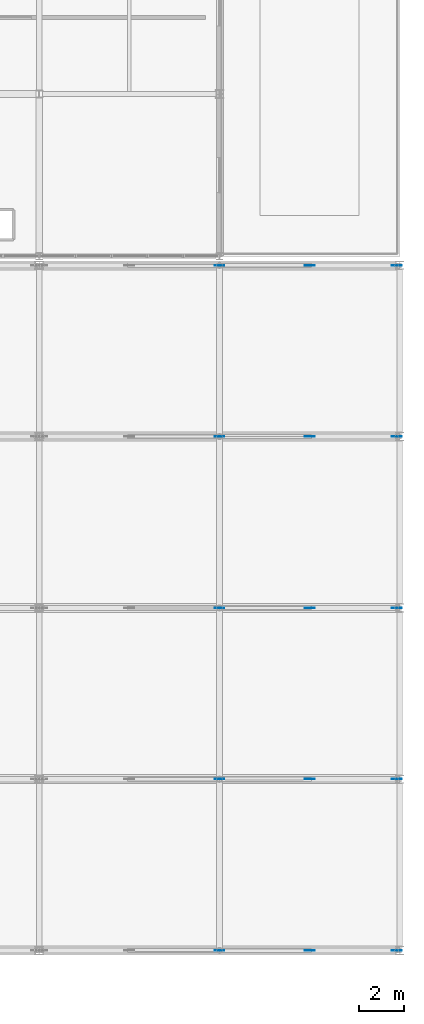
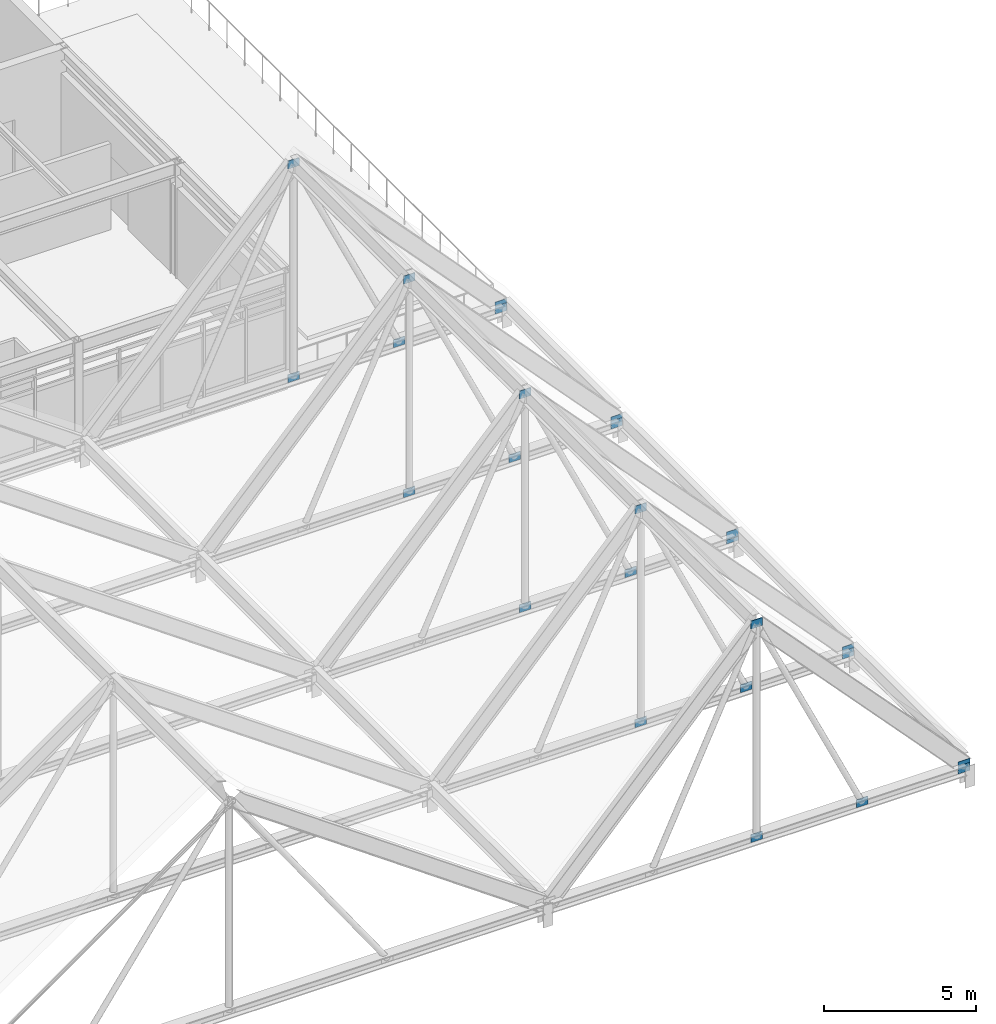
# One storey, part 81 of 100: 25 plates.
"""IFC4 building model written with IfcOpenShell, lengths in metres."""

from ifc_helpers import new_model, si_unit, direction, frame, origin, origin_2d, place, context, subcontext, project, spatial, rectangle, extrude, material, layer, layer_set, type_object, element, save


model = new_model("IFC4")

# Units and contexts
model_context = context("Model", 3, precision=1e-05, world=origin(), true_north=direction((0.0, 1.0)))
body_context = subcontext(model_context, "Body", "Model", "MODEL_VIEW")
ifc_project = project(units=[si_unit("LENGTHUNIT", "METRE"), si_unit("AREAUNIT", "SQUARE_METRE"), si_unit("VOLUMEUNIT", "CUBIC_METRE"), si_unit("PLANEANGLEUNIT", "RADIAN"), si_unit("MASSUNIT", "GRAM", prefix="KILO")], contexts=[model_context])

# Site, building, storey
site_placement = place(None, origin())
site = spatial("IfcSite", under=ifc_project, at=site_placement, CompositionType="ELEMENT")
building_placement = place(site_placement, origin())
building = spatial("IfcBuilding", under=site, at=building_placement, Name="Zulena Civic Courthouse", CompositionType="ELEMENT")
storey_placement = place(building_placement, frame((0.0, 0.0, 20.39990234375)))
storey = spatial("IfcBuildingStorey", under=building, at=storey_placement, Name="L04", CompositionType="ELEMENT", Elevation=20.39990234375)

# Plates
ifc_material = material(Name="Steel ASTM A572 Grade 50", Category="steel")
ifc_layer = layer(ifc_material, 0.02490234375)
ifc_layer_set = layer_set([ifc_layer], Name="Steel ASTM A572 Grade 50")
plate_type = type_object("IfcPlateType", Name="GussetPlate_440x320x25", PredefinedType="SHEET", material=ifc_layer_set)
for number, where, z_axis, x_axis, name in (
    (1, (171.860107421875, 0.0, 0.33642578125), (0.0, 0.0, 1.0), (1.0, 0.0, 0.0), "plate:fd:postE:07:0.0:0"),
    (2, (171.860107421875, 0.0, 0.49609375), (0.0, 0.0, 1.0), (1.0, 0.0, 0.0), "plate:fd:postE:07:0.0:1"),
    (3, (164.0, 0.0, 0.33642578125), (0.0, 0.0, 1.0), (1.0, 0.0, 0.0), "plate:fd:king:07:0.0:0"),
    (4, (164.0, 0.0, 8.896484375), (0.0, 0.0, 1.0), (1.0, 0.0, 0.0), "plate:fd:king:07:0.0:1"),
    (5, (168.0, 0.0, 0.33642578125), (0.0, 0.0, 1.0), (1.0, 0.0, 0.0), "plate:fd:diagE:07:0.0:0"),
    (6, (171.860107421875, 7.60009765625, 0.33642578125), (0.0, 0.0, 1.0), (1.0, 0.0, 0.0), "plate:fd:postE:07:7.6:0"),
    (7, (171.860107421875, 7.60009765625, 0.49609375), (0.0, 0.0, 1.0), (1.0, 0.0, 0.0), "plate:fd:postE:07:7.6:1"),
    (8, (164.0, 7.60009765625, 0.33642578125), (0.0, 0.0, 1.0), (1.0, 0.0, 0.0), "plate:fd:king:07:7.6:0"),
    (9, (164.0, 7.60009765625, 8.896484375), (0.0, 0.0, 1.0), (1.0, 0.0, 0.0), "plate:fd:king:07:7.6:1"),
    (10, (168.0, 7.60009765625, 0.33642578125), (0.0, 0.0, 1.0), (1.0, 0.0, 0.0), "plate:fd:diagE:07:7.6:0"),
    (11, (171.860107421875, 15.199951171875, 0.33642578125), (0.0, 0.0, 1.0), (1.0, 0.0, 0.0), "plate:fd:postE:07:15.2:0"),
    (12, (171.860107421875, 15.199951171875, 0.49609375), (0.0, 0.0, 1.0), (1.0, 0.0, 0.0), "plate:fd:postE:07:15.2:1"),
    (13, (164.0, 15.199951171875, 0.33642578125), (0.0, 0.0, 1.0), (1.0, 0.0, 0.0), "plate:fd:king:07:15.2:0"),
    (14, (164.0, 15.199951171875, 8.896484375), (0.0, 0.0, 1.0), (1.0, 0.0, 0.0), "plate:fd:king:07:15.2:1"),
    (15, (168.0, 15.199951171875, 0.33642578125), (0.0, 0.0, 1.0), (1.0, 0.0, 0.0), "plate:fd:diagE:07:15.2:0"),
    (16, (171.860107421875, 22.800048828125, 0.33642578125), (0.0, 0.0, 1.0), (1.0, 0.0, 0.0), "plate:fd:postE:07:22.8:0"),
    (17, (171.860107421875, 22.800048828125, 0.49609375), (0.0, 0.0, 1.0), (1.0, 0.0, 0.0), "plate:fd:postE:07:22.8:1"),
    (18, (164.0, 22.800048828125, 0.33642578125), (0.0, 0.0, 1.0), (1.0, 0.0, 0.0), "plate:fd:king:07:22.8:0"),
    (19, (164.0, 22.800048828125, 8.896484375), (0.0, 0.0, 1.0), (1.0, 0.0, 0.0), "plate:fd:king:07:22.8:1"),
    (20, (168.0, 22.800048828125, 0.33642578125), (0.0, 0.0, 1.0), (1.0, 0.0, 0.0), "plate:fd:diagE:07:22.8:0"),
    (21, (171.860107421875, 30.39990234375, 0.33642578125), (0.0, 0.0, 1.0), (1.0, 0.0, 0.0), "plate:fd:postE:07:30.4:0"),
    (22, (171.860107421875, 30.39990234375, 0.49609375), (0.0, 0.0, 1.0), (1.0, 0.0, 0.0), "plate:fd:postE:07:30.4:1"),
    (23, (164.0, 30.39990234375, 0.33642578125), (0.0, 0.0, 1.0), (1.0, 0.0, 0.0), "plate:fd:king:07:30.4:0"),
    (24, (164.0, 30.39990234375, 8.896484375), (0.0, 0.0, 1.0), (1.0, 0.0, 0.0), "plate:fd:king:07:30.4:1"),
    (25, (168.0, 30.39990234375, 0.33642578125), (0.0, 0.0, 1.0), (1.0, 0.0, 0.0), "plate:fd:diagE:07:30.4:0"),
):
    element("IfcPlate", number, at=place(storey_placement, frame(where, z_axis=z_axis, x_axis=x_axis)), inside=storey, type_object=plate_type, Name=name, PredefinedType="SHEET", context=body_context, shape_type="SweptSolid", body=[
        extrude(rectangle(XDim=0.43994140625, YDim=0.02490234375, at=origin_2d()), origin(), (0.0, 0.0, 1.0), 0.320068359375),
    ])

save(model, "model.ifc")
